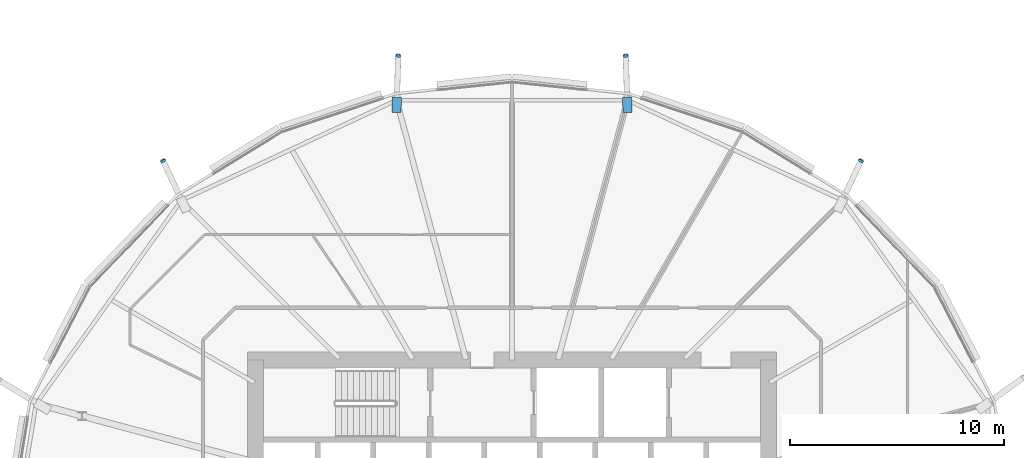
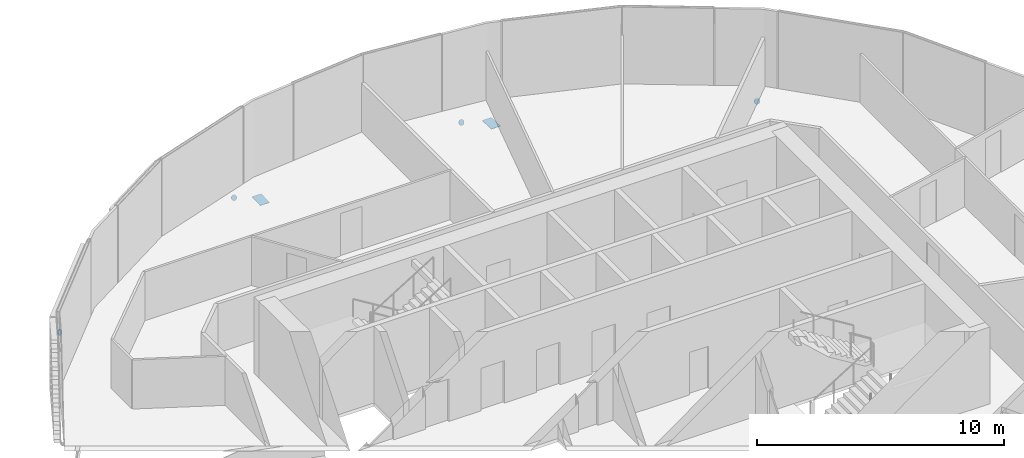
# One storey, part 29 of 39: 6 discrete accessories.
"""IFC4 building model written with IfcOpenShell, lengths in metres."""

from ifc_helpers import new_model, si_unit, direction, frame, origin, origin_2d, place, context, subcontext, project, spatial, polyline, rectangle, circle, outline, extrude, material, material_profile, profile_set, type_object, element, save


model = new_model("IFC4")

# Units and contexts
model_context = context("Model", 3, precision=1e-05, world=origin(), true_north=direction((0.0, 1.0)))
body_context = subcontext(model_context, "Body", "Model", "MODEL_VIEW")
ifc_project = project(units=[si_unit("LENGTHUNIT", "METRE"), si_unit("AREAUNIT", "SQUARE_METRE"), si_unit("VOLUMEUNIT", "CUBIC_METRE"), si_unit("PLANEANGLEUNIT", "RADIAN"), si_unit("MASSUNIT", "GRAM", prefix="KILO")], contexts=[model_context])

# Site, building, storey
site_placement = place(None, origin())
site = spatial("IfcSite", under=ifc_project, at=site_placement, CompositionType="ELEMENT")
building_placement = place(site_placement, origin())
building = spatial("IfcBuilding", under=site, at=building_placement, Name="Rimbun Link Towers", CompositionType="ELEMENT")
storey_placement = place(building_placement, frame((0.0, 0.0, 96.800048828125)))
storey = spatial("IfcBuildingStorey", under=building, at=storey_placement, Name="L23", CompositionType="ELEMENT", Elevation=96.800048828125)

# Discrete accessories
ifc_material_1 = material(Name="Steel S355J2H", Category="steel")
ifc_material_profile_1 = material_profile(ifc_material_1, circle(Radius=0.1240234375, at=origin_2d()), Name="PL D248")
ifc_profile_set_1 = profile_set([ifc_material_profile_1], Name="Steel S355J2H")
discrete_accessory_type_1 = type_object("IfcDiscreteAccessoryType", Name="Link foot sealing plate D248X20", PredefinedType="BRACKET", material=ifc_profile_set_1)
for number, where, z_axis, x_axis, name in (
    (1, (-15.436767578125, 17.308837890625, -1.993896484375), (0.363643042174, 0.787893258044, -0.496978824305), (-0.9079593845, 0.419058177462, 0.0), "Link foot sealing plate T1 L23 03"),
    (2, (-26.429931640625, 22.223388671875, -2.1689453125), (-0.02438661737, 0.865724916634, -0.499925656085), (-0.999603489279, -0.028157844768, 0.0), "Link foot sealing plate T1 L23 05"),
    (3, (-37.070068359375, 22.223388671875, -2.1689453125), (0.02438661737, 0.865724916634, -0.499925656085), (-0.999603489279, 0.028157844768, 0.0), "Link foot sealing plate T1 L23 07"),
    (4, (-48.063232421875, 17.308837890625, -1.993896484375), (-0.363643042174, 0.787893258044, -0.496978824305), (-0.9079593845, -0.419058177462, 0.0), "Link foot sealing plate T1 L23 09"),
):
    element("IfcDiscreteAccessory", number, at=place(storey_placement, frame(where, z_axis=z_axis, x_axis=x_axis)), inside=storey, type_object=discrete_accessory_type_1, Name=name, PredefinedType="BRACKET", context=body_context, shape_type="SweptSolid", body=[
        extrude(circle(Radius=0.1240234375, at=origin_2d()), origin(), (0.0, 0.0, 1.0), 0.02001953125),
    ])
ifc_material_2 = material(Name="Steel S355J2H", Category="steel")
ifc_material_profile_2 = material_profile(ifc_material_2, rectangle(XDim=0.43310546875, YDim=0.43310546875, at=origin_2d()), Name="PL 433x433")
ifc_profile_set_2 = profile_set([ifc_material_profile_2], Name="Steel S355J2H")
discrete_accessory_type_2 = type_object("IfcDiscreteAccessoryType", Name="Link head end plate 433X20", PredefinedType="BRACKET", material=ifc_profile_set_2)
discrete_accessory_1_placement = place(storey_placement, frame((0.0, 0.0, -0.863525390625)))
element("IfcDiscreteAccessory", 5, at=discrete_accessory_1_placement, inside=storey, type_object=discrete_accessory_type_2, Name="Link head end plate T1 L23 05", PredefinedType="BRACKET", context=body_context, shape_type="SweptSolid", body=[
    extrude(outline(polyline([(-26.128662109375, 19.588134765625), (-26.1513671875, 20.298828125), (-26.584228515625, 20.284912109375), (-26.561279296875, 19.57421875), (-26.128662109375, 19.588134765625)])), origin(), (0.0, 0.0, 1.0), 0.02001953125),
])
discrete_accessory_2_placement = place(storey_placement, frame((0.0, 0.0, -0.863525390625)))
element("IfcDiscreteAccessory", 6, at=discrete_accessory_2_placement, inside=storey, type_object=discrete_accessory_type_2, Name="Link head end plate T1 L23 07", PredefinedType="BRACKET", context=body_context, shape_type="SweptSolid", body=[
    extrude(outline(polyline([(-36.938720703125, 19.57421875), (-36.915771484375, 20.284912109375), (-37.3486328125, 20.298828125), (-37.371337890625, 19.588134765625), (-36.938720703125, 19.57421875)])), origin(), (0.0, 0.0, 1.0), 0.02001953125),
])

save(model, "model.ifc")
